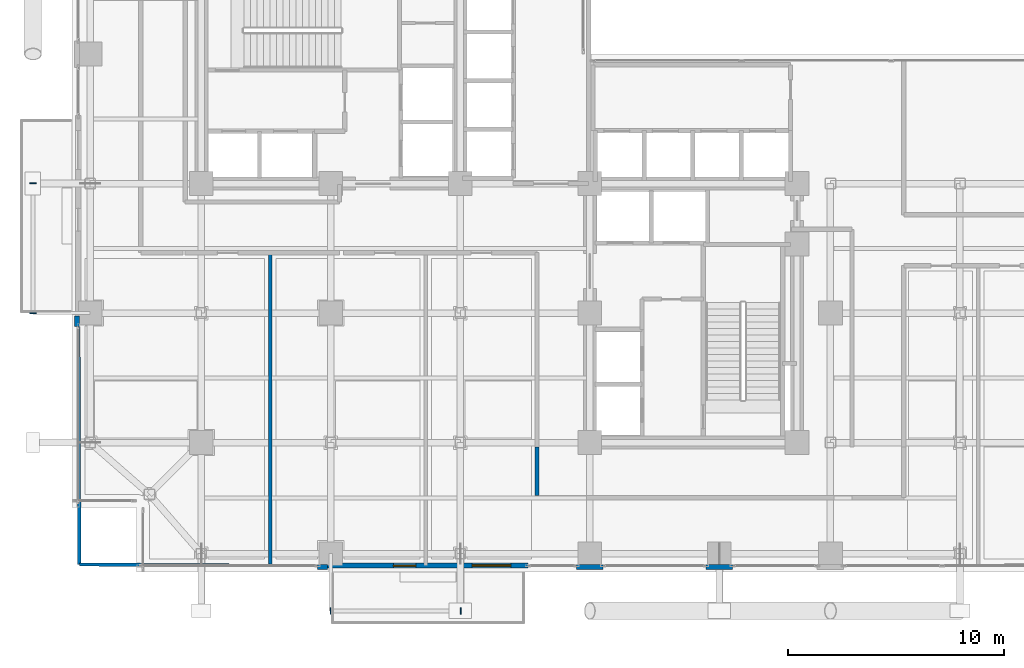
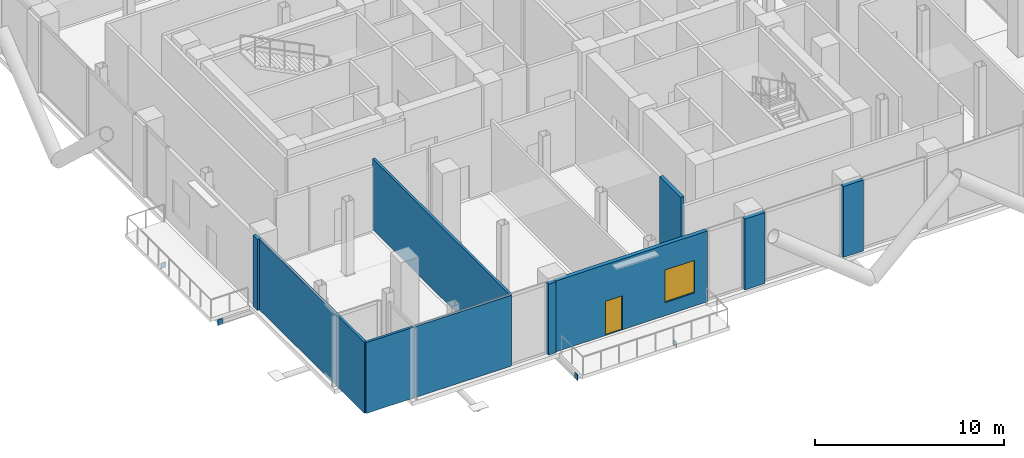
# One storey, part 17 of 25: 9 walls, 4 plates, 1 door, 1 window, 2 openings.
"""IFC4 building model written with IfcOpenShell, lengths in metres."""

from ifc_helpers import new_model, si_unit, direction, frame, frame_2d, origin, origin_2d, place, context, subcontext, project, spatial, rectangle, extrude, material, layer, layer_set, type_object, element, fill, save


model = new_model("IFC4")

# Units and contexts
model_context = context("Model", 3, precision=1e-05, world=origin(), true_north=direction((0.0, 1.0)))
body_context = subcontext(model_context, "Body", "Model", "MODEL_VIEW")
ifc_project = project(units=[si_unit("LENGTHUNIT", "METRE"), si_unit("AREAUNIT", "SQUARE_METRE"), si_unit("VOLUMEUNIT", "CUBIC_METRE"), si_unit("PLANEANGLEUNIT", "RADIAN"), si_unit("MASSUNIT", "GRAM", prefix="KILO"), si_unit("THERMODYNAMICTEMPERATUREUNIT", "KELVIN"), si_unit("POWERUNIT", "WATT")], contexts=[model_context])

# Site, building, storey
site_placement = place(None, origin())
site = spatial("IfcSite", under=ifc_project, at=site_placement, CompositionType="ELEMENT")
building_placement = place(site_placement, origin())
building = spatial("IfcBuilding", under=site, at=building_placement, Name="Svarakhadi Broadcast Tower", CompositionType="ELEMENT")
storey_placement = place(building_placement, frame((0.0, 0.0, 110.85009765625)))
storey = spatial("IfcBuildingStorey", under=building, at=storey_placement, Name="L26", CompositionType="ELEMENT", Elevation=110.85009765625)

# Plates
ifc_material_1 = material(Name="Steel S460ML (IS 2062 E450BR)", Category="steel")
ifc_layer_1 = layer(ifc_material_1, 0.028076171875)
ifc_layer_set_1 = layer_set([ifc_layer_1], Name="Steel S460ML (IS 2062 E450BR)")
plate_type = type_object("IfcPlateType", Name="Cap_Plate_CP02", PredefinedType="USERDEFINED", material=ifc_layer_set_1)
for number, where, z_axis, x_axis, name in (
    (1, (11.985107421875, -1.800048828125, -0.60498046875), (0.0, 0.0, 1.0), (1.0, 0.0, 0.0), "L26 Balcony Spandrel End Cap Plate 1F-A"),
    (2, (18.014892578125, -1.800048828125, -0.60498046875), (0.0, 0.0, 1.0), (1.0, 0.0, 0.0), "L26 Balcony Spandrel End Cap Plate 1F-B"),
):
    element("IfcPlate", number, at=place(storey_placement, frame(where, z_axis=z_axis, x_axis=x_axis)), inside=storey, type_object=plate_type, Name=name, ObjectType="FLANGE_PLATE", PredefinedType="USERDEFINED", context=body_context, shape_type="SweptSolid", body=[
        extrude(rectangle(XDim=0.0400390625, YDim=0.300048828125, at=origin_2d()), origin(), (0.0, 0.0, 1.0), 0.360107421875),
    ])
for number, where, z_axis, x_axis, name in (
    (3, (-1.800048828125, 11.985107421875, -0.60498046875), (0.0, 0.0, 1.0), (1.0, 0.0, 0.0), "L26 Balcony Spandrel End Cap Plate 2F-A"),
    (4, (-1.800048828125, 18.014892578125, -0.60498046875), (0.0, 0.0, 1.0), (1.0, 0.0, 0.0), "L26 Balcony Spandrel End Cap Plate 2F-B"),
):
    element("IfcPlate", number, at=place(storey_placement, frame(where, z_axis=z_axis, x_axis=x_axis)), inside=storey, type_object=plate_type, Name=name, ObjectType="FLANGE_PLATE", PredefinedType="USERDEFINED", context=body_context, shape_type="SweptSolid", body=[
        extrude(rectangle(XDim=0.300048828125, YDim=0.0400390625, at=origin_2d()), origin(), (0.0, 0.0, 1.0), 0.360107421875),
    ])

# Wall
ifc_material_2 = material(Name="Double-Stud Acoustic Studio Partition STC-62", Category="gypsum")
ifc_layer_2 = layer(ifc_material_2, 0.199951171875)
ifc_layer_set_2 = layer_set([ifc_layer_2], Name="Double-Stud Acoustic Studio Partition STC-62")
wall_type_1 = type_object("IfcWallType", Name="Wall_Acoust_200", PredefinedType="PARTITIONING", material=ifc_layer_set_2)
wall_1_placement = place(storey_placement, frame((21.550048828125, 3.550048828125, 0.0), z_axis=(0.0, 0.0, 1.0), x_axis=(0.0, 1.0, 0.0)))
element("IfcWall", 5, at=wall_1_placement, inside=storey, type_object=wall_type_1, Name="L26 Broadcast Corridor Wall", PredefinedType="PARTITIONING", context=body_context, shape_type="SweptSolid", body=[
    extrude(rectangle(XDim=2.25, YDim=0.199951171875, at=frame_2d((1.125, 0.0))), origin(), (0.0, 0.0, 1.0), 4.574951171875),
])

# Wall, openings, door, window
ifc_material_3 = material(Name="Concrete C40/50 (IS 456 M50)", Category="concrete")
ifc_layer_3 = layer(ifc_material_3, 0.239990234375)
ifc_layer_set_3 = layer_set([ifc_layer_3], Name="Concrete C40/50 (IS 456 M50)")
wall_type_2 = type_object("IfcWallType", Name="Wall_Ext_240", PredefinedType="SOLIDWALL", material=ifc_layer_set_3)
wall_2_placement = place(storey_placement, frame((21.14501953125, 0.300048828125, 0.0), z_axis=(0.0, 0.0, 1.0), x_axis=(-1.0, 0.0, 0.0)))
wall_2 = element("IfcWall", 6, at=wall_2_placement, inside=storey, type_object=wall_type_2, Name="L26 South Tree Balcony Spandrel Wall", PredefinedType="SOLIDWALL", context=body_context, shape_type="SweptSolid", body=[
    extrude(rectangle(XDim=9.2900390625, YDim=0.239990234375, at=frame_2d((4.64501953125, 0.0))), origin(), (0.0, 0.0, 1.0), 4.574951171875),
])
opening_1_placement = place(wall_2_placement, frame((5.199951171875, 0.0, 0.0)))
opening_1 = element("IfcOpeningElement", 7, at=opening_1_placement, cuts=wall_2, Name="Opening ED-06", PredefinedType="OPENING", context=body_context, shape_type="SweptSolid", body=[
    extrude(rectangle(XDim=1.050048828125, YDim=2.199951171875, at=frame_2d((0.52490234375, 1.10009765625))), frame((0.0, 0.1298828125, 0.0), z_axis=(0.0, -1.0, 0.0), x_axis=(1.0, 0.0, 0.0)), (0.0, 0.0, 1.0), 0.260009765625),
])
opening_2_placement = place(wall_2_placement, frame((0.800048828125, 0.0, 0.85009765625)))
opening_2 = element("IfcOpeningElement", 8, at=opening_2_placement, cuts=wall_2, Name="Opening WN-02", PredefinedType="OPENING", context=body_context, shape_type="SweptSolid", body=[
    extrude(rectangle(XDim=1.800048828125, YDim=2.10009765625, at=frame_2d((0.89990234375, 1.050048828125))), frame((0.0, 0.1298828125, 0.0), z_axis=(0.0, -1.0, 0.0), x_axis=(1.0, 0.0, 0.0)), (0.0, 0.0, 1.0), 0.260009765625),
])
ifc_material_4 = material(Name="Anodised Bronze Aluminium AA 6063-T6", Category="aluminium")
door_type = type_object("IfcDoorType", Name="Door_Ext_ED06", OperationType="SINGLE_SWING_RIGHT", PredefinedType="DOOR", material=ifc_material_4)
door_placement = place(opening_1_placement, origin())
door = element("IfcDoor", 9, at=door_placement, inside=storey, type_object=door_type, Name="L26 South Tree Balcony Door", OperationType="SINGLE_SWING_RIGHT", OverallHeight=2.199951171875, OverallWidth=1.050048828125, PredefinedType="DOOR", context=body_context, shape_type="SweptSolid", body=[
    extrude(rectangle(XDim=1.050048828125, YDim=2.199951171875, at=frame_2d((0.52490234375, 1.10009765625))), frame((0.0, 0.02490234375, 0.0), z_axis=(0.0, -1.0, 0.0), x_axis=(1.0, 0.0, 0.0)), (0.0, 0.0, 1.0), 0.050048828125),
])
fill(opening_1, door)
ifc_material_5 = material(Name="Double Low-E Laminated Acoustic Glass IGU 36 mm", Category="glass")
window_type = type_object("IfcWindowType", Name="Win_Fixed_WN02", PartitioningType="SINGLE_PANEL", PredefinedType="WINDOW", material=ifc_material_5)
window_placement = place(opening_2_placement, origin())
window = element("IfcWindow", 10, at=window_placement, inside=storey, type_object=window_type, Name="L26 South Tree Balcony Window", OverallHeight=2.10009765625, OverallWidth=1.800048828125, PartitioningType="SINGLE_PANEL", PredefinedType="WINDOW", context=body_context, shape_type="SweptSolid", body=[
    extrude(rectangle(XDim=1.800048828125, YDim=2.10009765625, at=frame_2d((0.89990234375, 1.050048828125))), frame((0.0, 0.030029296875, 0.0), z_axis=(0.0, -1.0, 0.0), x_axis=(1.0, 0.0, 0.0)), (0.0, 0.0, 1.0), 0.06005859375),
])
fill(opening_2, window)

# Walls
wall_3_placement = place(storey_placement, frame((0.239990234375, 11.385009765625, 0.0), z_axis=(0.0, 0.0, 1.0), x_axis=(0.0, 1.0, 0.0)))
element("IfcWall", 11, at=wall_3_placement, inside=storey, type_object=wall_type_2, Name="L26 Perimeter Bronze Spandrel Closure Wall 01", PredefinedType="SOLIDWALL", context=body_context, shape_type="SweptSolid", body=[
    extrude(rectangle(XDim=0.469970703125, YDim=0.239990234375, at=frame_2d((0.23486328125, 0.0))), origin(), (0.0, 0.0, 1.0), 4.574951171875),
])
for number, where, z_axis, x_axis, name in (
    (12, (30.614990234375, 0.239990234375, 0.0), (0.0, 0.0, 1.0), (-1.0, 0.0, 0.0), "L26 Perimeter Bronze Spandrel Closure Wall 08"),
    (13, (24.614990234375, 0.239990234375, 0.0), (0.0, 0.0, 1.0), (-1.0, 0.0, 0.0), "L26 Perimeter Bronze Spandrel Closure Wall 09"),
):
    element("IfcWall", number, at=place(storey_placement, frame(where, z_axis=z_axis, x_axis=x_axis)), inside=storey, type_object=wall_type_2, Name=name, PredefinedType="SOLIDWALL", context=body_context, shape_type="SweptSolid", body=[
        extrude(rectangle(XDim=1.22998046875, YDim=0.239990234375, at=frame_2d((0.614990234375, 0.0))), origin(), (0.0, 0.0, 1.0), 4.574951171875),
    ])
wall_4_placement = place(storey_placement, frame((11.85498046875, 0.239990234375, 0.0), z_axis=(0.0, 0.0, 1.0), x_axis=(-1.0, 0.0, 0.0)))
element("IfcWall", 14, at=wall_4_placement, inside=storey, type_object=wall_type_2, Name="L26 Perimeter Bronze Spandrel Closure Wall 10", PredefinedType="SOLIDWALL", context=body_context, shape_type="SweptSolid", body=[
    extrude(rectangle(XDim=0.469970703125, YDim=0.239990234375, at=frame_2d((0.23486328125, 0.0))), origin(), (0.0, 0.0, 1.0), 4.574951171875),
])
ifc_material_6 = material(Name="Autoclaved Aerated Concrete Blockwork 150 mm", Category="masonry")
ifc_layer_4 = layer(ifc_material_6, 0.14990234375)
ifc_layer_set_4 = layer_set([ifc_layer_4], Name="Autoclaved Aerated Concrete Blockwork 150 mm")
wall_type_3 = type_object("IfcWallType", Name="Wall_Part_150", PredefinedType="PARTITIONING", material=ifc_layer_set_4)
wall_5_placement = place(storey_placement, frame((0.35009765625, 0.35009765625, 0.0), z_axis=(0.0, 0.0, 1.0), x_axis=(0.999984009014, -0.005655237989, 0.0)))
element("IfcWall", 15, at=wall_5_placement, inside=storey, type_object=wall_type_3, Name="L26 L26 Sky Lobby Harbour Panorama Lounge Wall", PredefinedType="PARTITIONING", context=body_context, shape_type="SweptSolid", body=[
    extrude(rectangle(XDim=8.85009765625, YDim=0.14990234375, at=frame_2d((4.425048828125, 0.0))), origin(), (0.0, 0.0, 1.0), 4.574951171875),
])
wall_6_placement = place(storey_placement, frame((0.35009765625, 0.35009765625, 0.0), z_axis=(0.0, 0.0, 1.0), x_axis=(-0.003473507221, 0.999993967356, 0.0)))
element("IfcWall", 16, at=wall_6_placement, inside=storey, type_object=wall_type_3, Name="L26 L26 Sky Lobby Harbour Panorama Lounge Wall", PredefinedType="PARTITIONING", context=body_context, shape_type="SweptSolid", body=[
    extrude(rectangle(XDim=11.034912109375, YDim=0.14990234375, at=frame_2d((5.517578125, 0.0))), origin(), (0.0, 0.0, 1.0), 4.574951171875),
])
wall_7_placement = place(storey_placement, frame((9.199951171875, 0.300048828125, 0.0), z_axis=(0.0, 0.0, 1.0), x_axis=(0.0, 1.0, 0.0)))
element("IfcWall", 17, at=wall_7_placement, inside=storey, type_object=wall_type_3, Name="L26 L26 Sky Lobby Harbour Panorama Lounge Wall", PredefinedType="PARTITIONING", context=body_context, shape_type="SweptSolid", body=[
    extrude(rectangle(XDim=14.5, YDim=0.14990234375, at=frame_2d((7.25, 0.0))), origin(), (0.0, 0.0, 1.0), 4.574951171875),
])

save(model, "model.ifc")
